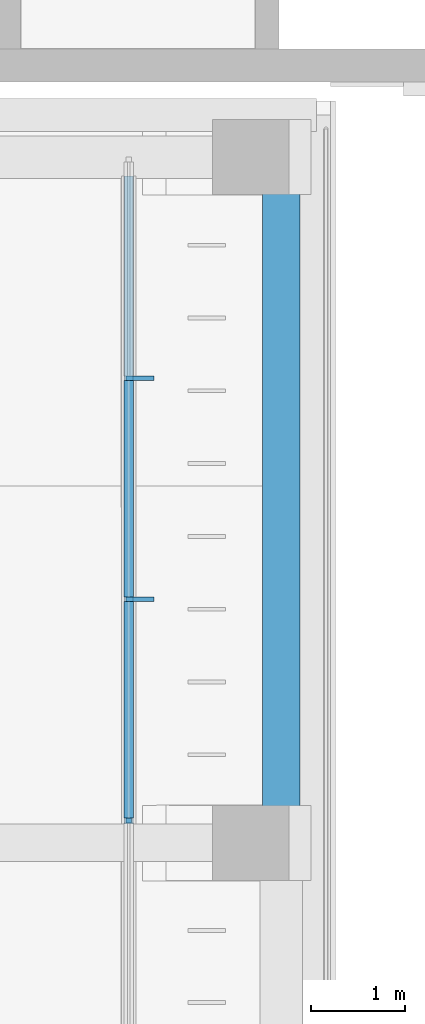
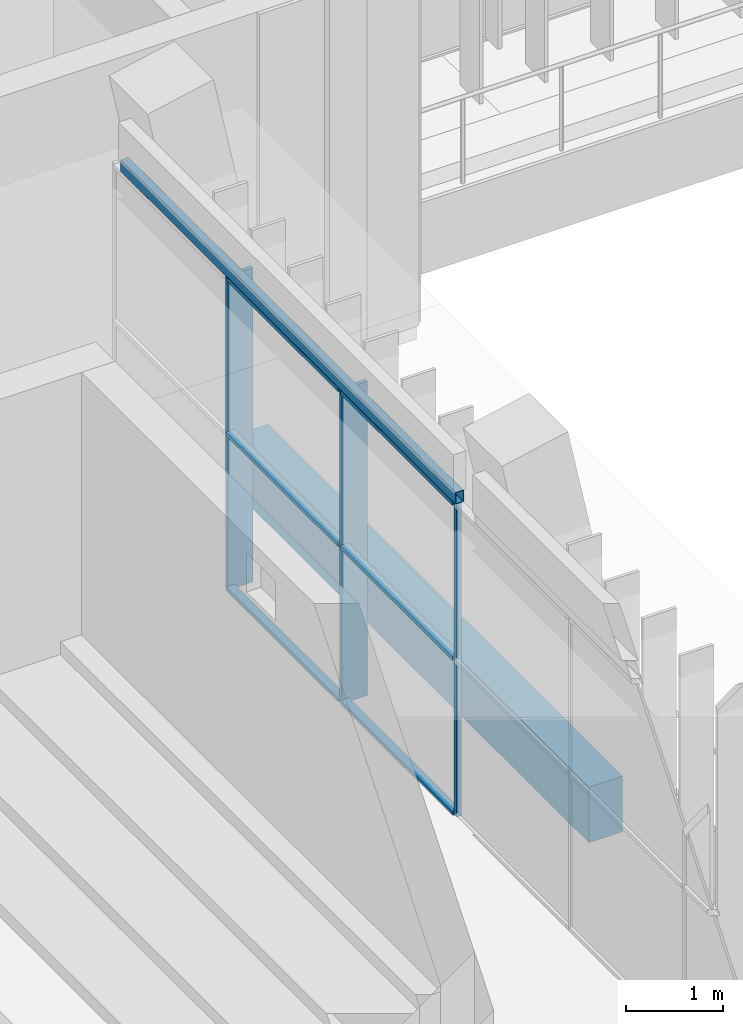
# One storey, part 63 of 141: 9 members, 2 beams, 1 element without a shape of its own.
"""IFC4 building model written with IfcOpenShell, lengths in metres."""

import ifcopenshell
import ifcopenshell.guid

model = None  # the IFC model being written
_history = None  # IfcOwnerHistory: only IFC2X3 demands one
_inside = {}  # id of a spatial element -> (the spatial element, [elements in it])
_under = {}  # id of a project, library or spatial element -> (it, [spatial elements below it])
_declared = {}  # id of a project -> (the project, [libraries it declares])
_typed = {}  # id of a type object -> (the type object, [elements of that type])
_made_of = {}  # id of a material, layer set ... -> (it, [elements and type objects made of it])


def new_model(schema):
    """Start an empty IFC model of exactly this schema.

    Asked for "IFC4X3", IfcOpenShell would pick the latest addendum, in which some entities
    have other attributes; the version numbers below select the first issue.
    IFC2X3 requires an IfcOwnerHistory on every rooted entity: one is made here for all.
    """
    global model, _history
    if schema == "IFC4X3":
        model = ifcopenshell.file(schema_version=(4, 3, 0, 0))
    else:
        model = ifcopenshell.file(schema=schema)
    _inside.clear()
    _under.clear()
    _declared.clear()
    _typed.clear()
    _made_of.clear()
    _history = None
    if model.schema == "IFC2X3":
        org = make("IfcOrganization", Name="unknown")
        user = make(
            "IfcPersonAndOrganization",
            ThePerson=make("IfcPerson", FamilyName="unknown"),
            TheOrganization=org,
        )
        app = make(
            "IfcApplication",
            ApplicationDeveloper=org,
            Version="unknown",
            ApplicationFullName="unknown",
            ApplicationIdentifier="unknown",
        )
        _history = make(
            "IfcOwnerHistory",
            OwningUser=user,
            OwningApplication=app,
            ChangeAction="ADDED",
            CreationDate=0,
        )
    return model


def make(cls, **values):
    """One entity of the class cls with the attributes given. An attribute that is None is left unset."""
    return model.create_entity(
        cls, **{name: value for name, value in values.items() if value is not None}
    )


def rooted(cls, **values):
    """An entity with a GlobalId (a new one), such as an element, a storey or a relation."""
    return make(cls, GlobalId=ifcopenshell.guid.new(), OwnerHistory=_history, **values)


def si_unit(unit_type, name, prefix=None):
    """IfcSIUnit, for example si_unit("LENGTHUNIT", "METRE", prefix="MILLI")."""
    return make("IfcSIUnit", UnitType=unit_type, Prefix=prefix, Name=name)


def assignment(units):
    """IfcUnitAssignment: the units of a project."""
    return None if units is None else make("IfcUnitAssignment", Units=units)


def point(xyz):
    """IfcCartesianPoint."""
    return None if xyz is None else make("IfcCartesianPoint", Coordinates=xyz)


def direction(xyz):
    """IfcDirection."""
    return None if xyz is None else make("IfcDirection", DirectionRatios=xyz)


def frame(location, z_axis=None, x_axis=None):
    """IfcAxis2Placement3D, a coordinate frame: its origin and axes. An axis left out is left unset."""
    return make(
        "IfcAxis2Placement3D",
        Location=point(location),
        Axis=direction(z_axis),
        RefDirection=direction(x_axis),
    )


def frame_2d(location, x_axis=None):
    """IfcAxis2Placement2D, a coordinate frame in the plane: its origin and x axis."""
    return make(
        "IfcAxis2Placement2D", Location=point(location), RefDirection=direction(x_axis)
    )


def origin():
    """The frame at (0, 0, 0) with its axes left unset."""
    return frame((0.0, 0.0, 0.0))


def origin_2d():
    """The frame at (0, 0) in the plane with its x axis left unset."""
    return frame_2d((0.0, 0.0))


def place(relative_to, where):
    """IfcLocalPlacement: puts the frame where relative to a parent placement (None: the world)."""
    return make(
        "IfcLocalPlacement", PlacementRelTo=relative_to, RelativePlacement=where
    )


def context(
    kind, dimensions, precision=None, world=None, true_north=None, identifier=None
):
    """IfcGeometricRepresentationContext, for example the 3D "Model" context."""
    return make(
        "IfcGeometricRepresentationContext",
        ContextIdentifier=identifier,
        ContextType=kind,
        CoordinateSpaceDimension=dimensions,
        Precision=precision,
        WorldCoordinateSystem=world,
        TrueNorth=true_north,
    )


def subcontext(parent, identifier, kind, view, scale=None):
    """IfcGeometricRepresentationSubContext, for example "Body" below "Model"."""
    return make(
        "IfcGeometricRepresentationSubContext",
        ContextIdentifier=identifier,
        ContextType=kind,
        ParentContext=parent,
        TargetScale=scale,
        TargetView=view,
    )


def project(units=None, contexts=None):
    """IfcProject with its units and contexts."""
    return rooted(
        "IfcProject",
        Name="project",
        RepresentationContexts=contexts,
        UnitsInContext=assignment(units),
    )


def spatial(cls, under=None, at=None, **own):
    """A site, building, storey or space (cls), placed at a placement, below another one or the project."""
    s = rooted(cls, ObjectPlacement=at, **own)
    if under is not None:
        _under.setdefault(under.id(), (under, []))[1].append(s)
    return s


def profile(cls, at=None, kind="AREA", **sizes):
    """A parametric profile (cls). Its sizes go by their IFC names, for example OverallWidth=200.0."""
    return make(cls, ProfileType=kind, Position=at, **sizes)


def rectangle(**sizes):
    """IfcRectangleProfileDef."""
    return profile("IfcRectangleProfileDef", **sizes)


def hollow_rectangle(**sizes):
    """IfcRectangleHollowProfileDef."""
    return profile("IfcRectangleHollowProfileDef", **sizes)


def extrude(swept, where, along, depth):
    """IfcExtrudedAreaSolid: the profile swept, set in the frame where, extruded along a direction by depth."""
    return make(
        "IfcExtrudedAreaSolid",
        SweptArea=swept,
        Position=where,
        ExtrudedDirection=direction(along),
        Depth=depth,
    )


def shape(context_of_items, identifier, shape_type, items):
    """IfcShapeRepresentation: the items that make up one representation, for example the "Body"."""
    return make(
        "IfcShapeRepresentation",
        ContextOfItems=context_of_items,
        RepresentationIdentifier=identifier,
        RepresentationType=shape_type,
        Items=items,
    )


def material(Name=None, Category=None):
    """IfcMaterial."""
    return make("IfcMaterial", Name=Name, Category=Category)


def material_profile(
    of_material, cross_section, Name=None, Category=None, Priority=None
):
    """IfcMaterialProfile: a cross section and its material."""
    return make(
        "IfcMaterialProfile",
        Name=Name,
        Material=of_material,
        Profile=cross_section,
        Priority=Priority,
        Category=Category,
    )


def profile_set(profiles, Name=None, composite=None):
    """IfcMaterialProfileSet."""
    return make(
        "IfcMaterialProfileSet",
        Name=Name,
        MaterialProfiles=profiles,
        CompositeProfile=composite,
    )


def made_of(thing, what):
    """Note that an element or type object is made of a material, layer set ...; save() writes the relation."""
    if what is not None:
        _made_of.setdefault(what.id(), (what, []))[1].append(thing)
    return thing


def type_object(cls, material=None, **own):
    """A type object (cls), such as IfcWallType, which elements share."""
    return made_of(rooted(cls, **own), material)


def element(
    cls,
    number,
    at=None,
    inside=None,
    cuts=None,
    type_object=None,
    material=None,
    context=None,
    identifier="Body",
    shape_type=None,
    held_by="IfcProductDefinitionShape",
    body=None,
    shapes=None,
    **own,
):
    """One element of the class cls, such as IfcWall. Its Tag is "e" and its number.

    at: its placement. inside: the storey or other place that contains it. cuts: it is an
    opening in that element (IfcRelVoidsElement). A single representation is given by context,
    identifier, shape_type and body (its items); several are given by shapes. held_by: the class
    of the entity that holds the representations. save() writes the other relations.
    """
    e = rooted(cls, Tag="e%d" % number, ObjectPlacement=at, **own)
    if body is not None:
        shapes = [shape(context, identifier, shape_type, body)]
    if shapes is not None:
        e.Representation = make(held_by, Representations=shapes)
    if inside is not None:
        _inside.setdefault(inside.id(), (inside, []))[1].append(e)
    if cuts is not None:
        rooted(
            "IfcRelVoidsElement", RelatingBuildingElement=cuts, RelatedOpeningElement=e
        )
    if type_object is not None:
        _typed.setdefault(type_object.id(), (type_object, []))[1].append(e)
    return made_of(e, material)


def aggregate(whole, parts):
    """IfcRelAggregates: a whole, such as a stair, and the parts it consists of."""
    return rooted("IfcRelAggregates", RelatingObject=whole, RelatedObjects=parts)


def save(model, path):
    """Write the relations noted so far, then the file.

    IfcRelAggregates (storeys below a building ...), IfcRelContainedInSpatialStructure (elements
    in a storey), IfcRelDefinesByType, IfcRelAssociatesMaterial and IfcRelDeclares: one each for
    every whole, place, type object, material and project.
    """
    for whole, parts in _under.values():
        aggregate(whole, parts)
    for where, things in _inside.values():
        rooted(
            "IfcRelContainedInSpatialStructure",
            RelatedElements=things,
            RelatingStructure=where,
        )
    for kind, things in _typed.values():
        rooted("IfcRelDefinesByType", RelatedObjects=things, RelatingType=kind)
    for what, things in _made_of.values():
        rooted("IfcRelAssociatesMaterial", RelatedObjects=things, RelatingMaterial=what)
    for by, libraries in _declared.values():
        rooted("IfcRelDeclares", RelatingContext=by, RelatedDefinitions=libraries)
    model.write(path)


model = new_model("IFC4")

# Units and contexts
model_context = context("Model", 3, precision=1e-05, world=origin(), true_north=direction((0.0, 1.0)))
body_context = subcontext(model_context, "Body", "Model", "MODEL_VIEW")
ifc_project = project(units=[si_unit("LENGTHUNIT", "METRE"), si_unit("AREAUNIT", "SQUARE_METRE"), si_unit("VOLUMEUNIT", "CUBIC_METRE"), si_unit("PLANEANGLEUNIT", "RADIAN"), si_unit("MASSUNIT", "GRAM", prefix="KILO")], contexts=[model_context])

# Site, building, storey
site_placement = place(None, origin())
site = spatial("IfcSite", under=ifc_project, at=site_placement, CompositionType="ELEMENT")
building_placement = place(site_placement, origin())
building = spatial("IfcBuilding", under=site, at=building_placement, Name="Lantern Court Media Centre", CompositionType="ELEMENT")
storey_placement = place(building_placement, frame((0.0, 0.0, 9.60009765625)))
storey = spatial("IfcBuildingStorey", under=building, at=storey_placement, Name="L02", CompositionType="ELEMENT", Elevation=9.60009765625)

# Curtain wall, members
ifc_material_1 = material(Name="Curtain wall bay 2400")
curtain_wall_type = type_object("IfcCurtainWallType", Name="Curtain wall bay 2400", PredefinedType="NOTDEFINED", material=ifc_material_1)
curtain_wall_placement = place(storey_placement, origin())
curtain_wall = element("IfcCurtainWall", 1, at=curtain_wall_placement, inside=storey, type_object=curtain_wall_type, Name="Curtain wall W inner L02", PredefinedType="NOTDEFINED")
ifc_material_2 = material(Name="Anodised aluminium", Category="aluminium")
ifc_material_profile_1 = material_profile(ifc_material_2, rectangle(XDim=0.300048828125, YDim=0.050048828125, at=origin_2d()), Name="AL 50x300")
ifc_profile_set_1 = profile_set([ifc_material_profile_1], Name="Anodised aluminium")
member_type_1 = type_object("IfcMemberType", Name="Curtain wall mullion 50x300", PredefinedType="MULLION", material=ifc_profile_set_1)
member_1_placement = place(storey_placement, frame((19.969970703125, 90.59228515625, 0.0), z_axis=(0.0, 0.0, 1.0), x_axis=(-1.0, 0.0, 0.0)))
member_1 = element("IfcMember", 2, at=member_1_placement, type_object=member_type_1, Name="CW2 mullion 12", PredefinedType="MULLION", context=body_context, shape_type="SweptSolid", body=[
    extrude(rectangle(XDim=0.300048828125, YDim=0.050048828125, at=origin_2d()), origin(), (0.0, 0.0, 1.0), 3.949951171875),
])
member_2_placement = place(storey_placement, frame((19.969970703125, 92.946044921875, 0.0), z_axis=(0.0, 0.0, 1.0), x_axis=(-1.0, 0.0, 0.0)))
member_2 = element("IfcMember", 3, at=member_2_placement, type_object=member_type_1, Name="CW2 mullion 13", PredefinedType="MULLION", context=body_context, shape_type="SweptSolid", body=[
    extrude(rectangle(XDim=0.300048828125, YDim=0.050048828125, at=origin_2d()), origin(), (0.0, 0.0, 1.0), 3.949951171875),
])
ifc_material_profile_2 = material_profile(ifc_material_2, rectangle(XDim=0.06005859375, YDim=0.050048828125, at=origin_2d()), Name="AL 50x60")
ifc_profile_set_2 = profile_set([ifc_material_profile_2], Name="Anodised aluminium")
member_type_2 = type_object("IfcMemberType", Name="Curtain wall mullion 50x60", PredefinedType="MULLION", material=ifc_profile_set_2)
member_3_placement = place(storey_placement, frame((19.85009765625, 88.238525390625, 0.0), z_axis=(0.0, 0.0, 1.0), x_axis=(-1.0, 0.0, 0.0)))
member_3 = element("IfcMember", 4, at=member_3_placement, type_object=member_type_2, Name="CW2 mullion 11", PredefinedType="MULLION", context=body_context, shape_type="SweptSolid", body=[
    extrude(rectangle(XDim=0.06005859375, YDim=0.050048828125, at=origin_2d()), origin(), (0.0, 0.0, 1.0), 3.949951171875),
])
ifc_material_profile_3 = material_profile(ifc_material_2, rectangle(XDim=0.10009765625, YDim=0.050048828125, at=origin_2d()), Name="AL 50x100")
ifc_profile_set_3 = profile_set([ifc_material_profile_3], Name="Anodised aluminium")
member_type_3 = type_object("IfcMemberType", Name="Curtain wall transom 100x50", PredefinedType="USERDEFINED", material=ifc_profile_set_3)
member_4_placement = place(storey_placement, frame((19.85009765625, 88.263427734375, 0.02490234375), z_axis=(0.0, 1.0, 0.0), x_axis=(-1.0, 0.0, 0.0)))
member_4 = element("IfcMember", 5, at=member_4_placement, type_object=member_type_3, Name="CW2 transom 11.1", ObjectType="TRANSOM", PredefinedType="USERDEFINED", context=body_context, shape_type="SweptSolid", body=[
    extrude(rectangle(XDim=0.10009765625, YDim=0.050048828125, at=origin_2d()), origin(), (0.0, 0.0, 1.0), 2.303955078125),
])
member_5_placement = place(storey_placement, frame((19.85009765625, 88.263427734375, 1.974853515625), z_axis=(0.0, 1.0, 0.0), x_axis=(-1.0, 0.0, 0.0)))
member_5 = element("IfcMember", 6, at=member_5_placement, type_object=member_type_3, Name="CW2 transom 11.2", ObjectType="TRANSOM", PredefinedType="USERDEFINED", context=body_context, shape_type="SweptSolid", body=[
    extrude(rectangle(XDim=0.10009765625, YDim=0.050048828125, at=origin_2d()), origin(), (0.0, 0.0, 1.0), 2.303955078125),
])
member_6_placement = place(storey_placement, frame((19.85009765625, 88.263427734375, 3.9248046875), z_axis=(0.0, 1.0, 0.0), x_axis=(-1.0, 0.0, 0.0)))
member_6 = element("IfcMember", 7, at=member_6_placement, type_object=member_type_3, Name="CW2 transom 11.3", ObjectType="TRANSOM", PredefinedType="USERDEFINED", context=body_context, shape_type="SweptSolid", body=[
    extrude(rectangle(XDim=0.10009765625, YDim=0.050048828125, at=origin_2d()), origin(), (0.0, 0.0, 1.0), 2.303955078125),
])
member_7_placement = place(storey_placement, frame((19.85009765625, 90.6171875, 0.02490234375), z_axis=(0.0, 1.0, 0.0), x_axis=(-1.0, 0.0, 0.0)))
member_7 = element("IfcMember", 8, at=member_7_placement, type_object=member_type_3, Name="CW2 transom 12.1", ObjectType="TRANSOM", PredefinedType="USERDEFINED", context=body_context, shape_type="SweptSolid", body=[
    extrude(rectangle(XDim=0.10009765625, YDim=0.050048828125, at=origin_2d()), origin(), (0.0, 0.0, 1.0), 2.303955078125),
])
member_8_placement = place(storey_placement, frame((19.85009765625, 90.6171875, 1.974853515625), z_axis=(0.0, 1.0, 0.0), x_axis=(-1.0, 0.0, 0.0)))
member_8 = element("IfcMember", 9, at=member_8_placement, type_object=member_type_3, Name="CW2 transom 12.2", ObjectType="TRANSOM", PredefinedType="USERDEFINED", context=body_context, shape_type="SweptSolid", body=[
    extrude(rectangle(XDim=0.10009765625, YDim=0.050048828125, at=origin_2d()), origin(), (0.0, 0.0, 1.0), 2.303955078125),
])
member_9_placement = place(storey_placement, frame((19.85009765625, 90.6171875, 3.9248046875), z_axis=(0.0, 1.0, 0.0), x_axis=(-1.0, 0.0, 0.0)))
member_9 = element("IfcMember", 10, at=member_9_placement, type_object=member_type_3, Name="CW2 transom 12.3", ObjectType="TRANSOM", PredefinedType="USERDEFINED", context=body_context, shape_type="SweptSolid", body=[
    extrude(rectangle(XDim=0.10009765625, YDim=0.050048828125, at=origin_2d()), origin(), (0.0, 0.0, 1.0), 2.303955078125),
])
aggregate(curtain_wall, [member_3, member_1, member_2, member_4, member_5, member_6, member_7, member_8, member_9])

# Beams
ifc_material_3 = material(Name="Steel S355J2 (EN 10025-2)", Category="steel")
ifc_material_profile_4 = material_profile(ifc_material_3, hollow_rectangle(XDim=0.10009765625, YDim=0.14990234375, WallThickness=0.00634765625, InnerFilletRadius=0.00634765625, OuterFilletRadius=0.009521484375, at=origin_2d()), Name="Facade head lintel RHS 150x100x6.3")
ifc_profile_set_4 = profile_set([ifc_material_profile_4], Name="Steel S355J2 (EN 10025-2)")
beam_type_1 = type_object("IfcBeamType", Name="Facade head lintel RHS 150x100x6.3", PredefinedType="BEAM", material=ifc_profile_set_4)
beam_1_placement = place(storey_placement, frame((19.85009765625, 88.199951171875, 4.02490234375), z_axis=(0.0, 1.0, 0.0), x_axis=(-1.0, 0.0, 0.0)))
element("IfcBeam", 11, at=beam_1_placement, inside=storey, type_object=beam_type_1, Name="Facade head lintel W L02", PredefinedType="BEAM", context=body_context, shape_type="SweptSolid", body=[
    extrude(hollow_rectangle(XDim=0.10009765625, YDim=0.14990234375, WallThickness=0.00634765625, InnerFilletRadius=0.00634765625, OuterFilletRadius=0.009521484375, at=origin_2d()), origin(), (0.0, 0.0, 1.0), 6.900146484375),
])
ifc_material_4 = material(Name="Concrete C35", Category="concrete")
ifc_material_profile_5 = material_profile(ifc_material_4, rectangle(XDim=0.39990234375, YDim=0.699951171875, at=origin_2d()), Name="RC 400x700")
ifc_profile_set_5 = profile_set([ifc_material_profile_5], Name="Concrete C35")
beam_type_2 = type_object("IfcBeamType", Name="RC BEAM 400x700", PredefinedType="BEAM", material=ifc_profile_set_5)
beam_2_placement = place(storey_placement, frame((21.472900390625, 88.0, -0.35009765625), z_axis=(0.0, 1.0, 0.0), x_axis=(-1.0, 0.0, 0.0)))
element("IfcBeam", 12, at=beam_2_placement, inside=storey, type_object=beam_type_2, Name="LB-W-L02-2-3", PredefinedType="BEAM", context=body_context, shape_type="SweptSolid", body=[
    extrude(rectangle(XDim=0.39990234375, YDim=0.699951171875, at=origin_2d()), origin(), (0.0, 0.0, 1.0), 7.300048828125),
])

save(model, "model.ifc")
